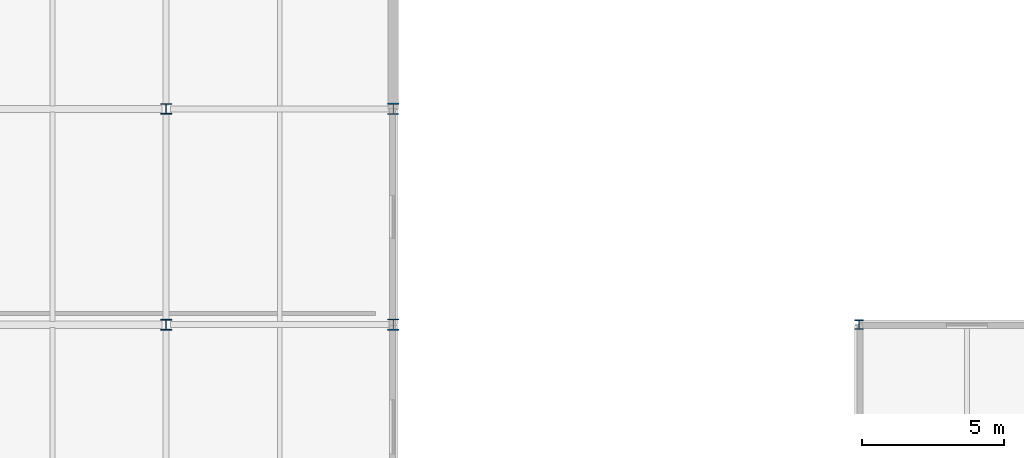
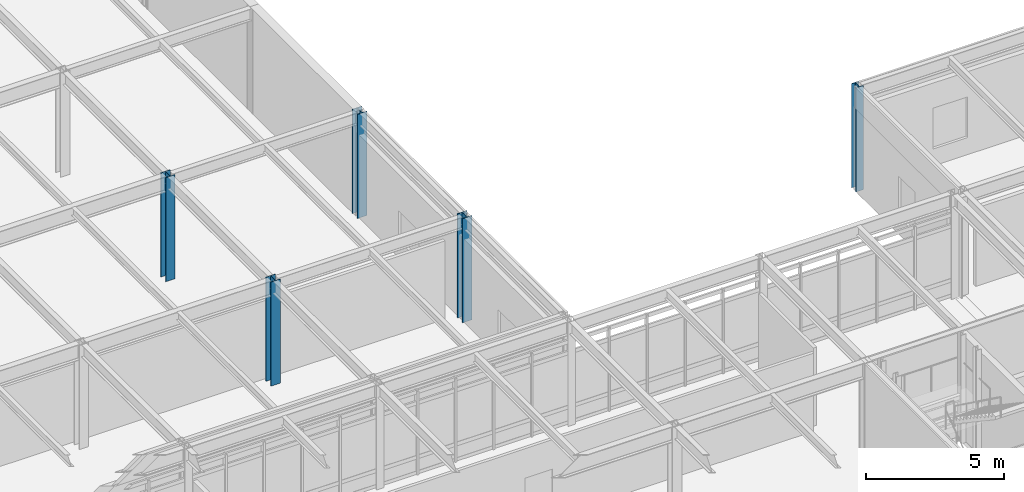
# One storey, part 14 of 104: 5 columns.
"""IFC4 building model written with IfcOpenShell, lengths in metres."""

from ifc_helpers import new_model, si_unit, direction, frame, origin, origin_2d, place, context, subcontext, project, spatial, i_section, extrude, material, material_profile, profile_set, type_object, element, save


model = new_model("IFC4")

# Units and contexts
model_context = context("Model", 3, precision=1e-05, world=origin(), true_north=direction((0.0, 1.0)))
body_context = subcontext(model_context, "Body", "Model", "MODEL_VIEW")
ifc_project = project(units=[si_unit("LENGTHUNIT", "METRE"), si_unit("AREAUNIT", "SQUARE_METRE"), si_unit("VOLUMEUNIT", "CUBIC_METRE"), si_unit("PLANEANGLEUNIT", "RADIAN"), si_unit("MASSUNIT", "GRAM", prefix="KILO")], contexts=[model_context])

# Site, building, storey
site_placement = place(None, origin())
site = spatial("IfcSite", under=ifc_project, at=site_placement, CompositionType="ELEMENT")
building_placement = place(site_placement, origin())
building = spatial("IfcBuilding", under=site, at=building_placement, Name="Zulena Civic Courthouse", CompositionType="ELEMENT")
storey_placement = place(building_placement, frame((0.0, 0.0, 10.800048828125)))
storey = spatial("IfcBuildingStorey", under=building, at=storey_placement, Name="L02", CompositionType="ELEMENT", Elevation=10.800048828125)

# Columns
ifc_material = material(Name="Steel ASTM A992 Grade 50", Category="steel")
ifc_material_profile_1 = material_profile(ifc_material, i_section(OverallWidth=0.31298828125, OverallDepth=0.3330078125, WebThickness=0.01806640625, FlangeThickness=0.0283203125, FilletRadius=0.01513671875, at=origin_2d()), Name="W12X120")
ifc_profile_set_1 = profile_set([ifc_material_profile_1], Name="Steel ASTM A992 Grade 50")
column_type_1 = type_object("IfcColumnType", Name="Col_W12X120", PredefinedType="COLUMN", material=ifc_profile_set_1)
column_placement = place(storey_placement, frame((124.39990234375, 53.199951171875, 0.0), z_axis=(0.0, 0.0, 1.0), x_axis=(1.0, 0.0, 0.0)))
element("IfcColumn", 1, at=column_placement, inside=storey, type_object=column_type_1, Name="col:V3:L02:124.4:53.2", PredefinedType="COLUMN", context=body_context, shape_type="SweptSolid", body=[
    extrude(i_section(OverallWidth=0.31298828125, OverallDepth=0.3330078125, WebThickness=0.01806640625, FlangeThickness=0.0283203125, FilletRadius=0.01513671875, at=origin_2d()), origin(), (0.0, 0.0, 1.0), 4.58984375),
])
ifc_material_profile_2 = material_profile(ifc_material, i_section(OverallWidth=0.39404296875, OverallDepth=0.3759765625, WebThickness=0.017333984375, FlangeThickness=0.027587890625, FilletRadius=0.01513671875, at=origin_2d()), Name="W14X145")
ifc_profile_set_2 = profile_set([ifc_material_profile_2], Name="Steel ASTM A992 Grade 50")
column_type_2 = type_object("IfcColumnType", Name="Col_W14X145", PredefinedType="COLUMN", material=ifc_profile_set_2)
for number, where, z_axis, x_axis, name in (
    (2, (100.0, 53.199951171875, 0.0), (0.0, 0.0, 1.0), (1.0, 0.0, 0.0), "col:V5:L02:100.0:53.2"),
    (3, (100.0, 60.800048828125, 0.0), (0.0, 0.0, 1.0), (1.0, 0.0, 0.0), "col:V5:L02:100.0:60.8"),
):
    element("IfcColumn", number, at=place(storey_placement, frame(where, z_axis=z_axis, x_axis=x_axis)), inside=storey, type_object=column_type_2, Name=name, PredefinedType="COLUMN", context=body_context, shape_type="SweptSolid", body=[
        extrude(i_section(OverallWidth=0.39404296875, OverallDepth=0.3759765625, WebThickness=0.017333984375, FlangeThickness=0.027587890625, FilletRadius=0.01513671875, at=origin_2d()), origin(), (0.0, 0.0, 1.0), 4.58984375),
    ])
ifc_material_profile_3 = material_profile(ifc_material, i_section(OverallWidth=0.40087890625, OverallDepth=0.39892578125, WebThickness=0.02490234375, FlangeThickness=0.03955078125, FilletRadius=0.01513671875, at=origin_2d()), Name="W14X211")
ifc_profile_set_3 = profile_set([ifc_material_profile_3], Name="Steel ASTM A992 Grade 50")
column_type_3 = type_object("IfcColumnType", Name="Col_W14X211", PredefinedType="COLUMN", material=ifc_profile_set_3)
for number, where, z_axis, x_axis, name in (
    (4, (108.0, 53.199951171875, 0.0), (0.0, 0.0, 1.0), (1.0, 0.0, 0.0), "col:V5:L02:108.0:53.2"),
    (5, (108.0, 60.800048828125, 0.0), (0.0, 0.0, 1.0), (1.0, 0.0, 0.0), "col:V5:L02:108.0:60.8"),
):
    element("IfcColumn", number, at=place(storey_placement, frame(where, z_axis=z_axis, x_axis=x_axis)), inside=storey, type_object=column_type_3, Name=name, PredefinedType="COLUMN", context=body_context, shape_type="SweptSolid", body=[
        extrude(i_section(OverallWidth=0.40087890625, OverallDepth=0.39892578125, WebThickness=0.02490234375, FlangeThickness=0.03955078125, FilletRadius=0.01513671875, at=origin_2d()), origin(), (0.0, 0.0, 1.0), 4.58984375),
    ])

save(model, "model.ifc")
